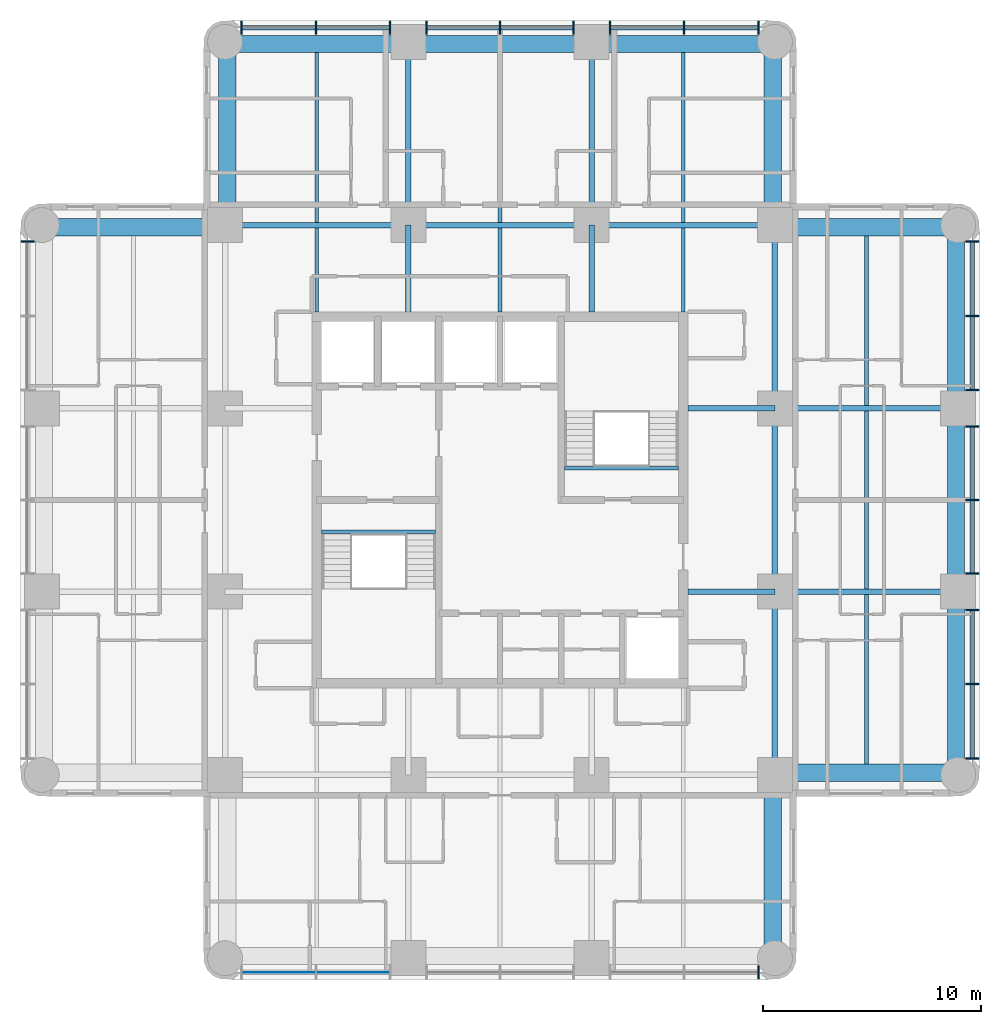
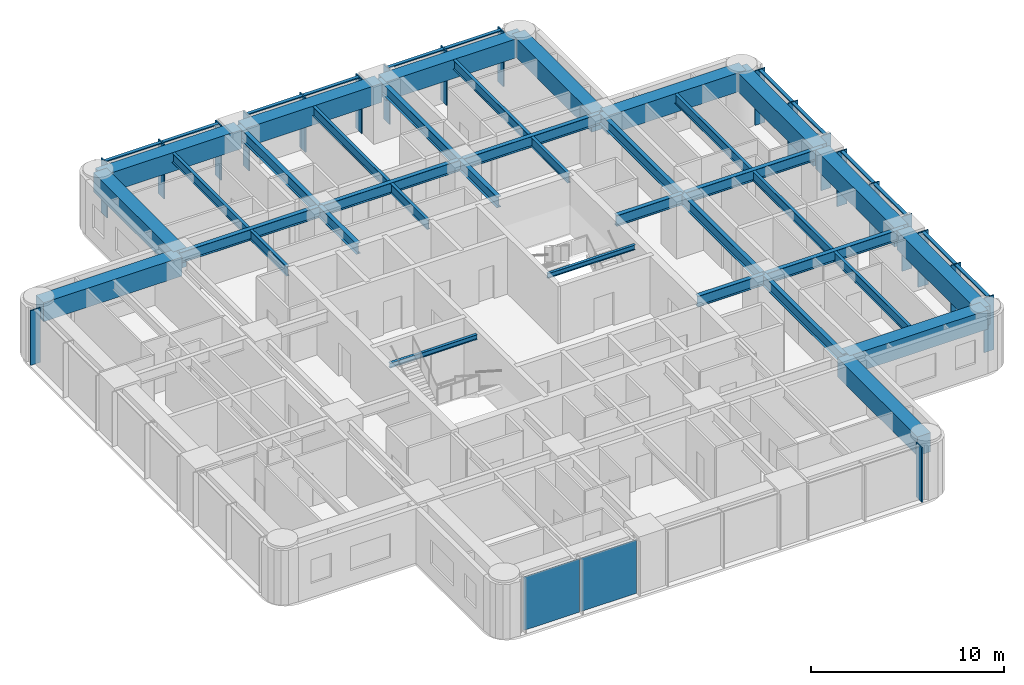
# One storey, part 2 of 10: 37 beams, 32 members, 2 plates, 4 elements without a shape of their own.
"""IFC4 building model written with IfcOpenShell, lengths in metres."""

from ifc_helpers import new_model, si_unit, direction, frame, origin, origin_2d, place, context, subcontext, project, spatial, rectangle, i_section, extrude, material, layer, layer_set, material_profile, profile_set, type_object, element, aggregate, save


model = new_model("IFC4")

# Units and contexts
model_context = context("Model", 3, precision=1e-05, world=origin(), true_north=direction((0.0, 1.0)))
body_context = subcontext(model_context, "Body", "Model", "MODEL_VIEW")
ifc_project = project(units=[si_unit("LENGTHUNIT", "METRE"), si_unit("AREAUNIT", "SQUARE_METRE"), si_unit("VOLUMEUNIT", "CUBIC_METRE"), si_unit("PLANEANGLEUNIT", "RADIAN"), si_unit("MASSUNIT", "GRAM", prefix="KILO")], contexts=[model_context])

# Site, building, storey
site_placement = place(None, origin())
site = spatial("IfcSite", under=ifc_project, at=site_placement, CompositionType="ELEMENT")
building_placement = place(site_placement, origin())
building = spatial("IfcBuilding", under=site, at=building_placement, Name="Torre Alcanfor", CompositionType="ELEMENT")
storey_placement = place(building_placement, frame((0.0, 0.0, 257.699951171875)))
storey = spatial("IfcBuildingStorey", under=building, at=storey_placement, Name="L67", CompositionType="ELEMENT", Elevation=257.699951171875)

# Curtain wall, member
ifc_material_1 = material(Name="Aluminium and glass", Category="aluminium")
curtain_wall_type = type_object("IfcCurtainWallType", Name="CW-A unitised apartment glazing with vertical FIN", PredefinedType="NOTDEFINED", material=ifc_material_1)
curtain_wall_1_placement = place(storey_placement, origin())
curtain_wall_1 = element("IfcCurtainWall", 1, at=curtain_wall_1_placement, inside=storey, type_object=curtain_wall_type, Name="Curtain wall CW-A L67 2", PredefinedType="NOTDEFINED")
ifc_material_2 = material(Name="Bronze anodised aluminium", Category="aluminium")
ifc_material_profile_1 = material_profile(ifc_material_2, rectangle(XDim=0.60009765625, YDim=0.06494140625, at=origin_2d()), Name="CW-A mullion 65x600")
ifc_profile_set_1 = profile_set([ifc_material_profile_1], Name="Bronze anodised aluminium")
member_type_1 = type_object("IfcMemberType", Name="CW-A mullion with vertical FIN 65x600", PredefinedType="MULLION", material=ifc_profile_set_1)
member_1_placement = place(storey_placement, frame((7.75, 41.24267578125, 0.0), z_axis=(0.0, 0.0, 1.0), x_axis=(1.0, 0.0, 0.0)))
member_1 = element("IfcMember", 2, at=member_1_placement, type_object=member_type_1, Name="CW-A mullion 1.1", PredefinedType="MULLION", context=body_context, shape_type="SweptSolid", body=[
    extrude(rectangle(XDim=0.60009765625, YDim=0.06494140625, at=origin_2d()), origin(), (0.0, 0.0, 1.0), 3.449951171875),
])
aggregate(curtain_wall_1, [member_1])

curtain_wall_2_placement = place(storey_placement, origin())
curtain_wall_2 = element("IfcCurtainWall", 3, at=curtain_wall_2_placement, inside=storey, type_object=curtain_wall_type, Name="Curtain wall CW-A L67 5", PredefinedType="NOTDEFINED")
member_2_placement = place(storey_placement, frame((41.24267578125, 7.75, 0.0), z_axis=(0.0, 0.0, 1.0), x_axis=(0.0, 1.0, 0.0)))
member_2 = element("IfcMember", 4, at=member_2_placement, type_object=member_type_1, Name="CW-A mullion 3.3", PredefinedType="MULLION", context=body_context, shape_type="SweptSolid", body=[
    extrude(rectangle(XDim=0.60009765625, YDim=0.06494140625, at=origin_2d()), origin(), (0.0, 0.0, 1.0), 3.449951171875),
])

# Curtain wall, members
curtain_wall_3_placement = place(storey_placement, origin())
curtain_wall_3 = element("IfcCurtainWall", 5, at=curtain_wall_3_placement, inside=storey, type_object=curtain_wall_type, Name="Curtain wall CW-A L67 8", PredefinedType="NOTDEFINED")
member_3_placement = place(storey_placement, frame((51.050048828125, 17.557373046875, 0.0), z_axis=(0.0, 0.0, 1.0), x_axis=(-1.0, 0.0, 0.0)))
member_3 = element("IfcMember", 6, at=member_3_placement, type_object=member_type_1, Name="CW-A mullion 1.1", PredefinedType="MULLION", context=body_context, shape_type="SweptSolid", body=[
    extrude(rectangle(XDim=0.60009765625, YDim=0.06494140625, at=origin_2d()), origin(), (0.0, 0.0, 1.0), 3.449951171875),
])
member_4_placement = place(storey_placement, frame((51.050048828125, 20.9599609375, 0.0), z_axis=(0.0, 0.0, 1.0), x_axis=(-1.0, 0.0, 0.0)))
member_4 = element("IfcMember", 7, at=member_4_placement, type_object=member_type_1, Name="CW-A mullion 1.2", PredefinedType="MULLION", context=body_context, shape_type="SweptSolid", body=[
    extrude(rectangle(XDim=0.60009765625, YDim=0.06494140625, at=origin_2d()), origin(), (0.0, 0.0, 1.0), 3.449951171875),
])
member_5_placement = place(storey_placement, frame((51.050048828125, 24.362548828125, 0.0), z_axis=(0.0, 0.0, 1.0), x_axis=(-1.0, 0.0, 0.0)))
member_5 = element("IfcMember", 8, at=member_5_placement, type_object=member_type_1, Name="CW-A mullion 1.3", PredefinedType="MULLION", context=body_context, shape_type="SweptSolid", body=[
    extrude(rectangle(XDim=0.60009765625, YDim=0.06494140625, at=origin_2d()), origin(), (0.0, 0.0, 1.0), 3.449951171875),
])
member_6_placement = place(storey_placement, frame((51.050048828125, 26.03759765625, 0.0), z_axis=(0.0, 0.0, 1.0), x_axis=(-1.0, 0.0, 0.0)))
member_6 = element("IfcMember", 9, at=member_6_placement, type_object=member_type_1, Name="CW-A mullion 2.1", PredefinedType="MULLION", context=body_context, shape_type="SweptSolid", body=[
    extrude(rectangle(XDim=0.60009765625, YDim=0.06494140625, at=origin_2d()), origin(), (0.0, 0.0, 1.0), 3.449951171875),
])
member_7_placement = place(storey_placement, frame((51.050048828125, 29.39990234375, 0.0), z_axis=(0.0, 0.0, 1.0), x_axis=(-1.0, 0.0, 0.0)))
member_7 = element("IfcMember", 10, at=member_7_placement, type_object=member_type_1, Name="CW-A mullion 2.2", PredefinedType="MULLION", context=body_context, shape_type="SweptSolid", body=[
    extrude(rectangle(XDim=0.60009765625, YDim=0.06494140625, at=origin_2d()), origin(), (0.0, 0.0, 1.0), 3.449951171875),
])
member_8_placement = place(storey_placement, frame((51.050048828125, 32.762451171875, 0.0), z_axis=(0.0, 0.0, 1.0), x_axis=(-1.0, 0.0, 0.0)))
member_8 = element("IfcMember", 11, at=member_8_placement, type_object=member_type_1, Name="CW-A mullion 2.3", PredefinedType="MULLION", context=body_context, shape_type="SweptSolid", body=[
    extrude(rectangle(XDim=0.60009765625, YDim=0.06494140625, at=origin_2d()), origin(), (0.0, 0.0, 1.0), 3.449951171875),
])
member_9_placement = place(storey_placement, frame((51.050048828125, 34.4375, 0.0), z_axis=(0.0, 0.0, 1.0), x_axis=(-1.0, 0.0, 0.0)))
member_9 = element("IfcMember", 12, at=member_9_placement, type_object=member_type_1, Name="CW-A mullion 3.1", PredefinedType="MULLION", context=body_context, shape_type="SweptSolid", body=[
    extrude(rectangle(XDim=0.60009765625, YDim=0.06494140625, at=origin_2d()), origin(), (0.0, 0.0, 1.0), 3.449951171875),
])
member_10_placement = place(storey_placement, frame((51.050048828125, 37.840087890625, 0.0), z_axis=(0.0, 0.0, 1.0), x_axis=(-1.0, 0.0, 0.0)))
member_10 = element("IfcMember", 13, at=member_10_placement, type_object=member_type_1, Name="CW-A mullion 3.2", PredefinedType="MULLION", context=body_context, shape_type="SweptSolid", body=[
    extrude(rectangle(XDim=0.60009765625, YDim=0.06494140625, at=origin_2d()), origin(), (0.0, 0.0, 1.0), 3.449951171875),
])
member_11_placement = place(storey_placement, frame((51.050048828125, 41.24267578125, 0.0), z_axis=(0.0, 0.0, 1.0), x_axis=(-1.0, 0.0, 0.0)))
member_11 = element("IfcMember", 14, at=member_11_placement, type_object=member_type_1, Name="CW-A mullion 3.3", PredefinedType="MULLION", context=body_context, shape_type="SweptSolid", body=[
    extrude(rectangle(XDim=0.60009765625, YDim=0.06494140625, at=origin_2d()), origin(), (0.0, 0.0, 1.0), 3.449951171875),
])

curtain_wall_4_placement = place(storey_placement, origin())
curtain_wall_4 = element("IfcCurtainWall", 15, at=curtain_wall_4_placement, inside=storey, type_object=curtain_wall_type, Name="Curtain wall CW-A L67 11", PredefinedType="NOTDEFINED")
member_12_placement = place(storey_placement, frame((41.24267578125, 51.050048828125, 0.0), z_axis=(0.0, 0.0, 1.0), x_axis=(0.0, -1.0, 0.0)))
member_12 = element("IfcMember", 16, at=member_12_placement, type_object=member_type_1, Name="CW-A mullion 1.1", PredefinedType="MULLION", context=body_context, shape_type="SweptSolid", body=[
    extrude(rectangle(XDim=0.60009765625, YDim=0.06494140625, at=origin_2d()), origin(), (0.0, 0.0, 1.0), 3.449951171875),
])
member_13_placement = place(storey_placement, frame((37.840087890625, 51.050048828125, 0.0), z_axis=(0.0, 0.0, 1.0), x_axis=(0.0, -1.0, 0.0)))
member_13 = element("IfcMember", 17, at=member_13_placement, type_object=member_type_1, Name="CW-A mullion 1.2", PredefinedType="MULLION", context=body_context, shape_type="SweptSolid", body=[
    extrude(rectangle(XDim=0.60009765625, YDim=0.06494140625, at=origin_2d()), origin(), (0.0, 0.0, 1.0), 3.449951171875),
])
member_14_placement = place(storey_placement, frame((34.4375, 51.050048828125, 0.0), z_axis=(0.0, 0.0, 1.0), x_axis=(0.0, -1.0, 0.0)))
member_14 = element("IfcMember", 18, at=member_14_placement, type_object=member_type_1, Name="CW-A mullion 1.3", PredefinedType="MULLION", context=body_context, shape_type="SweptSolid", body=[
    extrude(rectangle(XDim=0.60009765625, YDim=0.06494140625, at=origin_2d()), origin(), (0.0, 0.0, 1.0), 3.449951171875),
])
member_15_placement = place(storey_placement, frame((32.762451171875, 51.050048828125, 0.0), z_axis=(0.0, 0.0, 1.0), x_axis=(0.0, -1.0, 0.0)))
member_15 = element("IfcMember", 19, at=member_15_placement, type_object=member_type_1, Name="CW-A mullion 2.1", PredefinedType="MULLION", context=body_context, shape_type="SweptSolid", body=[
    extrude(rectangle(XDim=0.60009765625, YDim=0.06494140625, at=origin_2d()), origin(), (0.0, 0.0, 1.0), 3.449951171875),
])
member_16_placement = place(storey_placement, frame((29.39990234375, 51.050048828125, 0.0), z_axis=(0.0, 0.0, 1.0), x_axis=(0.0, -1.0, 0.0)))
member_16 = element("IfcMember", 20, at=member_16_placement, type_object=member_type_1, Name="CW-A mullion 2.2", PredefinedType="MULLION", context=body_context, shape_type="SweptSolid", body=[
    extrude(rectangle(XDim=0.60009765625, YDim=0.06494140625, at=origin_2d()), origin(), (0.0, 0.0, 1.0), 3.449951171875),
])
member_17_placement = place(storey_placement, frame((26.03759765625, 51.050048828125, 0.0), z_axis=(0.0, 0.0, 1.0), x_axis=(0.0, -1.0, 0.0)))
member_17 = element("IfcMember", 21, at=member_17_placement, type_object=member_type_1, Name="CW-A mullion 2.3", PredefinedType="MULLION", context=body_context, shape_type="SweptSolid", body=[
    extrude(rectangle(XDim=0.60009765625, YDim=0.06494140625, at=origin_2d()), origin(), (0.0, 0.0, 1.0), 3.449951171875),
])
member_18_placement = place(storey_placement, frame((24.362548828125, 51.050048828125, 0.0), z_axis=(0.0, 0.0, 1.0), x_axis=(0.0, -1.0, 0.0)))
member_18 = element("IfcMember", 22, at=member_18_placement, type_object=member_type_1, Name="CW-A mullion 3.1", PredefinedType="MULLION", context=body_context, shape_type="SweptSolid", body=[
    extrude(rectangle(XDim=0.60009765625, YDim=0.06494140625, at=origin_2d()), origin(), (0.0, 0.0, 1.0), 3.449951171875),
])
member_19_placement = place(storey_placement, frame((20.9599609375, 51.050048828125, 0.0), z_axis=(0.0, 0.0, 1.0), x_axis=(0.0, -1.0, 0.0)))
member_19 = element("IfcMember", 23, at=member_19_placement, type_object=member_type_1, Name="CW-A mullion 3.2", PredefinedType="MULLION", context=body_context, shape_type="SweptSolid", body=[
    extrude(rectangle(XDim=0.60009765625, YDim=0.06494140625, at=origin_2d()), origin(), (0.0, 0.0, 1.0), 3.449951171875),
])
member_20_placement = place(storey_placement, frame((17.557373046875, 51.050048828125, 0.0), z_axis=(0.0, 0.0, 1.0), x_axis=(0.0, -1.0, 0.0)))
member_20 = element("IfcMember", 24, at=member_20_placement, type_object=member_type_1, Name="CW-A mullion 3.3", PredefinedType="MULLION", context=body_context, shape_type="SweptSolid", body=[
    extrude(rectangle(XDim=0.60009765625, YDim=0.06494140625, at=origin_2d()), origin(), (0.0, 0.0, 1.0), 3.449951171875),
])

# Member
ifc_material_3 = material(Name="Extruded aluminium", Category="aluminium")
ifc_material_profile_2 = material_profile(ifc_material_3, rectangle(XDim=0.199951171875, YDim=0.06494140625, at=origin_2d()), Name="CW-A transom 200x65")
ifc_profile_set_2 = profile_set([ifc_material_profile_2], Name="Extruded aluminium")
member_type_2 = type_object("IfcMemberType", Name="CW-A transom 65x200", PredefinedType="USERDEFINED", material=ifc_profile_set_2)
member_21_placement = place(storey_placement, frame((51.050048828125, 17.58984375, 3.41748046875), z_axis=(0.0, 1.0, 0.0), x_axis=(-1.0, 0.0, 0.0)))
member_21 = element("IfcMember", 25, at=member_21_placement, type_object=member_type_2, Name="CW-A transom 1.1.2", ObjectType="TRANSOM", PredefinedType="USERDEFINED", context=body_context, shape_type="SweptSolid", body=[
    extrude(rectangle(XDim=0.199951171875, YDim=0.06494140625, at=origin_2d()), origin(), (0.0, 0.0, 1.0), 3.337646484375),
])

member_22_placement = place(storey_placement, frame((51.050048828125, 20.992431640625, 3.41748046875), z_axis=(0.0, 1.0, 0.0), x_axis=(-1.0, 0.0, 0.0)))
member_22 = element("IfcMember", 26, at=member_22_placement, type_object=member_type_2, Name="CW-A transom 1.2.2", ObjectType="TRANSOM", PredefinedType="USERDEFINED", context=body_context, shape_type="SweptSolid", body=[
    extrude(rectangle(XDim=0.199951171875, YDim=0.06494140625, at=origin_2d()), origin(), (0.0, 0.0, 1.0), 3.337646484375),
])

member_23_placement = place(storey_placement, frame((51.050048828125, 26.070068359375, 3.41748046875), z_axis=(0.0, 1.0, 0.0), x_axis=(-1.0, 0.0, 0.0)))
member_23 = element("IfcMember", 27, at=member_23_placement, type_object=member_type_2, Name="CW-A transom 2.1.2", ObjectType="TRANSOM", PredefinedType="USERDEFINED", context=body_context, shape_type="SweptSolid", body=[
    extrude(rectangle(XDim=0.199951171875, YDim=0.06494140625, at=origin_2d()), origin(), (0.0, 0.0, 1.0), 3.29736328125),
])

member_24_placement = place(storey_placement, frame((51.050048828125, 29.4326171875, 3.41748046875), z_axis=(0.0, 1.0, 0.0), x_axis=(-1.0, 0.0, 0.0)))
member_24 = element("IfcMember", 28, at=member_24_placement, type_object=member_type_2, Name="CW-A transom 2.2.2", ObjectType="TRANSOM", PredefinedType="USERDEFINED", context=body_context, shape_type="SweptSolid", body=[
    extrude(rectangle(XDim=0.199951171875, YDim=0.06494140625, at=origin_2d()), origin(), (0.0, 0.0, 1.0), 3.29736328125),
])

member_25_placement = place(storey_placement, frame((51.050048828125, 34.469970703125, 3.41748046875), z_axis=(0.0, 1.0, 0.0), x_axis=(-1.0, 0.0, 0.0)))
member_25 = element("IfcMember", 29, at=member_25_placement, type_object=member_type_2, Name="CW-A transom 3.1.2", ObjectType="TRANSOM", PredefinedType="USERDEFINED", context=body_context, shape_type="SweptSolid", body=[
    extrude(rectangle(XDim=0.199951171875, YDim=0.06494140625, at=origin_2d()), origin(), (0.0, 0.0, 1.0), 3.337646484375),
])

member_26_placement = place(storey_placement, frame((51.050048828125, 37.87255859375, 3.41748046875), z_axis=(0.0, 1.0, 0.0), x_axis=(-1.0, 0.0, 0.0)))
member_26 = element("IfcMember", 30, at=member_26_placement, type_object=member_type_2, Name="CW-A transom 3.2.2", ObjectType="TRANSOM", PredefinedType="USERDEFINED", context=body_context, shape_type="SweptSolid", body=[
    extrude(rectangle(XDim=0.199951171875, YDim=0.06494140625, at=origin_2d()), origin(), (0.0, 0.0, 1.0), 3.337646484375),
])

aggregate(curtain_wall_3, [member_3, member_4, member_5, member_21, member_22, member_6, member_7, member_8, member_23, member_24, member_9, member_10, member_11, member_25, member_26])

member_27_placement = place(storey_placement, frame((41.210205078125, 51.050048828125, 3.41748046875), z_axis=(-1.0, 0.0, 0.0), x_axis=(0.0, -1.0, 0.0)))
member_27 = element("IfcMember", 31, at=member_27_placement, type_object=member_type_2, Name="CW-A transom 1.1.2", ObjectType="TRANSOM", PredefinedType="USERDEFINED", context=body_context, shape_type="SweptSolid", body=[
    extrude(rectangle(XDim=0.199951171875, YDim=0.06494140625, at=origin_2d()), origin(), (0.0, 0.0, 1.0), 3.337646484375),
])

member_28_placement = place(storey_placement, frame((37.8076171875, 51.050048828125, 3.41748046875), z_axis=(-1.0, 0.0, 0.0), x_axis=(0.0, -1.0, 0.0)))
member_28 = element("IfcMember", 32, at=member_28_placement, type_object=member_type_2, Name="CW-A transom 1.2.2", ObjectType="TRANSOM", PredefinedType="USERDEFINED", context=body_context, shape_type="SweptSolid", body=[
    extrude(rectangle(XDim=0.199951171875, YDim=0.06494140625, at=origin_2d()), origin(), (0.0, 0.0, 1.0), 3.337646484375),
])

member_29_placement = place(storey_placement, frame((32.72998046875, 51.050048828125, 3.41748046875), z_axis=(-1.0, 0.0, 0.0), x_axis=(0.0, -1.0, 0.0)))
member_29 = element("IfcMember", 33, at=member_29_placement, type_object=member_type_2, Name="CW-A transom 2.1.2", ObjectType="TRANSOM", PredefinedType="USERDEFINED", context=body_context, shape_type="SweptSolid", body=[
    extrude(rectangle(XDim=0.199951171875, YDim=0.06494140625, at=origin_2d()), origin(), (0.0, 0.0, 1.0), 3.29736328125),
])

member_30_placement = place(storey_placement, frame((29.367431640625, 51.050048828125, 3.41748046875), z_axis=(-1.0, 0.0, 0.0), x_axis=(0.0, -1.0, 0.0)))
member_30 = element("IfcMember", 34, at=member_30_placement, type_object=member_type_2, Name="CW-A transom 2.2.2", ObjectType="TRANSOM", PredefinedType="USERDEFINED", context=body_context, shape_type="SweptSolid", body=[
    extrude(rectangle(XDim=0.199951171875, YDim=0.06494140625, at=origin_2d()), origin(), (0.0, 0.0, 1.0), 3.29736328125),
])

member_31_placement = place(storey_placement, frame((24.330078125, 51.050048828125, 3.41748046875), z_axis=(-1.0, 0.0, 0.0), x_axis=(0.0, -1.0, 0.0)))
member_31 = element("IfcMember", 35, at=member_31_placement, type_object=member_type_2, Name="CW-A transom 3.1.2", ObjectType="TRANSOM", PredefinedType="USERDEFINED", context=body_context, shape_type="SweptSolid", body=[
    extrude(rectangle(XDim=0.199951171875, YDim=0.06494140625, at=origin_2d()), origin(), (0.0, 0.0, 1.0), 3.337646484375),
])

member_32_placement = place(storey_placement, frame((20.927490234375, 51.050048828125, 3.41748046875), z_axis=(-1.0, 0.0, 0.0), x_axis=(0.0, -1.0, 0.0)))
member_32 = element("IfcMember", 36, at=member_32_placement, type_object=member_type_2, Name="CW-A transom 3.2.2", ObjectType="TRANSOM", PredefinedType="USERDEFINED", context=body_context, shape_type="SweptSolid", body=[
    extrude(rectangle(XDim=0.199951171875, YDim=0.06494140625, at=origin_2d()), origin(), (0.0, 0.0, 1.0), 3.337646484375),
])

aggregate(curtain_wall_4, [member_12, member_13, member_14, member_27, member_28, member_15, member_16, member_17, member_29, member_30, member_18, member_19, member_20, member_31, member_32])

# Beams
ifc_material_4 = material(Name="Steel ASTM A992 Grade 50", Category="steel")
ifc_material_profile_3 = material_profile(ifc_material_4, i_section(OverallWidth=0.25390625, OverallDepth=0.683349609375, WebThickness=0.012451171875, FlangeThickness=0.01904296875, at=origin_2d()), Name="W27x94")
ifc_profile_set_3 = profile_set([ifc_material_profile_3], Name="Steel ASTM A992 Grade 50")
beam_type_1 = type_object("IfcBeamType", Name="Girder W27x94", PredefinedType="BEAM", material=ifc_profile_set_3)
for number, where, z_axis, x_axis, name in (
    (37, (42.0, 25.199951171875, 3.1083984375), (1.0, 0.0, 0.0), (0.0, 1.0, 0.0), "Beam 6F-7F under L68"),
    (38, (42.0, 33.60009765625, 3.1083984375), (1.0, 0.0, 0.0), (0.0, 1.0, 0.0), "Beam 6G-7G under L68"),
    (39, (16.800048828125, 42.0, 3.1083984375), (1.0, 0.0, 0.0), (0.0, 1.0, 0.0), "Beam 3H-4H under L68"),
):
    element("IfcBeam", number, at=place(storey_placement, frame(where, z_axis=z_axis, x_axis=x_axis)), inside=storey, type_object=beam_type_1, Name=name, PredefinedType="BEAM", context=body_context, shape_type="SweptSolid", body=[
        extrude(i_section(OverallWidth=0.25390625, OverallDepth=0.683349609375, WebThickness=0.012451171875, FlangeThickness=0.01904296875, at=origin_2d()), origin(), (0.0, 0.0, 1.0), 8.39990234375),
    ])
beam_1_placement = place(storey_placement, frame((25.199951171875, 42.0, 3.1083984375), z_axis=(1.0, 0.0, 0.0), x_axis=(0.0, 1.0, 0.0)))
element("IfcBeam", 40, at=beam_1_placement, inside=storey, type_object=beam_type_1, Name="Beam 4H-5H under L68", PredefinedType="BEAM", context=body_context, shape_type="SweptSolid", body=[
    extrude(i_section(OverallWidth=0.25390625, OverallDepth=0.683349609375, WebThickness=0.012451171875, FlangeThickness=0.01904296875, at=origin_2d()), origin(), (0.0, 0.0, 1.0), 8.400146484375),
])
for number, where, z_axis, x_axis, name in (
    (41, (33.60009765625, 42.0, 3.1083984375), (1.0, 0.0, 0.0), (0.0, 1.0, 0.0), "Beam 5H-6H under L68"),
    (42, (25.199951171875, 42.0, 3.1083984375), (0.0, 1.0, 0.0), (-1.0, 0.0, 0.0), "Beam 4H-4J under L68"),
    (43, (33.60009765625, 42.0, 3.1083984375), (0.0, 1.0, 0.0), (-1.0, 0.0, 0.0), "Beam 5H-5J under L68"),
    (44, (42.0, 16.800048828125, 3.1083984375), (0.0, 1.0, 0.0), (-1.0, 0.0, 0.0), "Beam 6E-6F under L68"),
):
    element("IfcBeam", number, at=place(storey_placement, frame(where, z_axis=z_axis, x_axis=x_axis)), inside=storey, type_object=beam_type_1, Name=name, PredefinedType="BEAM", context=body_context, shape_type="SweptSolid", body=[
        extrude(i_section(OverallWidth=0.25390625, OverallDepth=0.683349609375, WebThickness=0.012451171875, FlangeThickness=0.01904296875, at=origin_2d()), origin(), (0.0, 0.0, 1.0), 8.39990234375),
    ])
beam_2_placement = place(storey_placement, frame((42.0, 25.199951171875, 3.1083984375), z_axis=(0.0, 1.0, 0.0), x_axis=(-1.0, 0.0, 0.0)))
element("IfcBeam", 45, at=beam_2_placement, inside=storey, type_object=beam_type_1, Name="Beam 6F-6G under L68", PredefinedType="BEAM", context=body_context, shape_type="SweptSolid", body=[
    extrude(i_section(OverallWidth=0.25390625, OverallDepth=0.683349609375, WebThickness=0.012451171875, FlangeThickness=0.01904296875, at=origin_2d()), origin(), (0.0, 0.0, 1.0), 8.400146484375),
])
beam_3_placement = place(storey_placement, frame((42.0, 33.60009765625, 3.1083984375), z_axis=(0.0, 1.0, 0.0), x_axis=(-1.0, 0.0, 0.0)))
element("IfcBeam", 46, at=beam_3_placement, inside=storey, type_object=beam_type_1, Name="Beam 6G-6H under L68", PredefinedType="BEAM", context=body_context, shape_type="SweptSolid", body=[
    extrude(i_section(OverallWidth=0.25390625, OverallDepth=0.683349609375, WebThickness=0.012451171875, FlangeThickness=0.01904296875, at=origin_2d()), origin(), (0.0, 0.0, 1.0), 8.39990234375),
])
ifc_material_5 = material(Name="Steel ASTM A992 Grade 50", Category="steel")
ifc_material_profile_4 = material_profile(ifc_material_5, i_section(OverallWidth=0.25390625, OverallDepth=0.683349609375, WebThickness=0.012451171875, FlangeThickness=0.01904296875, at=origin_2d()), Name="W27x94")
ifc_profile_set_4 = profile_set([ifc_material_profile_4], Name="Steel ASTM A992 Grade 50")
beam_type_2 = type_object("IfcBeamType", Name="Girder, part bay W27x94", PredefinedType="BEAM", material=ifc_profile_set_4)
for number, where, z_axis, x_axis, name in (
    (47, (25.199951171875, 42.0, 3.1083984375), (0.0, -1.0, 0.0), (1.0, 0.0, 0.0), "Beam 4H-438_025 under L68"),
    (48, (33.60009765625, 42.0, 3.1083984375), (0.0, -1.0, 0.0), (1.0, 0.0, 0.0), "Beam 5H-538_025 under L68"),
    (49, (42.0, 25.199951171875, 3.1083984375), (-1.0, 0.0, 0.0), (0.0, -1.0, 0.0), "Beam 6F-38_025F under L68"),
    (50, (42.0, 33.60009765625, 3.1083984375), (-1.0, 0.0, 0.0), (0.0, -1.0, 0.0), "Beam 6G-38_025G under L68"),
):
    element("IfcBeam", number, at=place(storey_placement, frame(where, z_axis=z_axis, x_axis=x_axis)), inside=storey, type_object=beam_type_2, Name=name, PredefinedType="BEAM", context=body_context, shape_type="SweptSolid", body=[
        extrude(i_section(OverallWidth=0.25390625, OverallDepth=0.683349609375, WebThickness=0.012451171875, FlangeThickness=0.01904296875, at=origin_2d()), origin(), (0.0, 0.0, 1.0), 3.97509765625),
    ])
ifc_material_6 = material(Name="Concrete f'c 70 MPa", Category="concrete")
ifc_material_profile_5 = material_profile(ifc_material_6, rectangle(XDim=0.800048828125, YDim=1.199951171875, at=origin_2d()), Name="800x1200")
ifc_profile_set_5 = profile_set([ifc_material_profile_5], Name="Concrete f'c 70 MPa")
beam_type_3 = type_object("IfcBeamType", Name="RC perimeter beam 800x1200", PredefinedType="BEAM", material=ifc_profile_set_5)
beam_4_placement = place(storey_placement, frame((42.126953125, 16.89990234375, 2.85009765625), z_axis=(1.0, 0.0, 0.0), x_axis=(0.0, 1.0, 0.0)))
element("IfcBeam", 51, at=beam_4_placement, inside=storey, type_object=beam_type_3, Name="Beam 6E-7E under L68", PredefinedType="BEAM", context=body_context, shape_type="SweptSolid", body=[
    extrude(rectangle(XDim=0.800048828125, YDim=1.199951171875, at=origin_2d()), origin(), (0.0, 0.0, 1.0), 8.27294921875),
])
beam_5_placement = place(storey_placement, frame((8.39990234375, 41.89990234375, 2.85009765625), z_axis=(1.0, 0.0, 0.0), x_axis=(0.0, 1.0, 0.0)))
element("IfcBeam", 52, at=beam_5_placement, inside=storey, type_object=beam_type_3, Name="Beam 2H-3H under L68", PredefinedType="BEAM", context=body_context, shape_type="SweptSolid", body=[
    extrude(rectangle(XDim=0.800048828125, YDim=1.199951171875, at=origin_2d()), origin(), (0.0, 0.0, 1.0), 8.273193359375),
])
for number, where, z_axis, x_axis, name in (
    (53, (42.126953125, 41.89990234375, 2.85009765625), (1.0, 0.0, 0.0), (0.0, 1.0, 0.0), "Beam 6H-7H under L68"),
    (54, (16.800048828125, 50.300048828125, 2.85009765625), (1.0, 0.0, 0.0), (0.0, 1.0, 0.0), "Beam 3J-4J under L68"),
):
    element("IfcBeam", number, at=place(storey_placement, frame(where, z_axis=z_axis, x_axis=x_axis)), inside=storey, type_object=beam_type_3, Name=name, PredefinedType="BEAM", context=body_context, shape_type="SweptSolid", body=[
        extrude(rectangle(XDim=0.800048828125, YDim=1.199951171875, at=origin_2d()), origin(), (0.0, 0.0, 1.0), 8.27294921875),
    ])
beam_6_placement = place(storey_placement, frame((25.326904296875, 50.300048828125, 2.85009765625), z_axis=(1.0, 0.0, 0.0), x_axis=(0.0, 1.0, 0.0)))
element("IfcBeam", 55, at=beam_6_placement, inside=storey, type_object=beam_type_3, Name="Beam 4J-5J under L68", PredefinedType="BEAM", context=body_context, shape_type="SweptSolid", body=[
    extrude(rectangle(XDim=0.800048828125, YDim=1.199951171875, at=origin_2d()), origin(), (0.0, 0.0, 1.0), 8.14599609375),
])
for number, where, z_axis, x_axis, name in (
    (56, (33.72705078125, 50.300048828125, 2.85009765625), (1.0, 0.0, 0.0), (0.0, 1.0, 0.0), "Beam 5J-6J under L68"),
    (57, (16.89990234375, 42.126953125, 2.85009765625), (0.0, 1.0, 0.0), (-1.0, 0.0, 0.0), "Beam 3H-3J under L68"),
):
    element("IfcBeam", number, at=place(storey_placement, frame(where, z_axis=z_axis, x_axis=x_axis)), inside=storey, type_object=beam_type_3, Name=name, PredefinedType="BEAM", context=body_context, shape_type="SweptSolid", body=[
        extrude(rectangle(XDim=0.800048828125, YDim=1.199951171875, at=origin_2d()), origin(), (0.0, 0.0, 1.0), 8.27294921875),
    ])
beam_7_placement = place(storey_placement, frame((41.89990234375, 8.39990234375, 2.85009765625), z_axis=(0.0, 1.0, 0.0), x_axis=(-1.0, 0.0, 0.0)))
element("IfcBeam", 58, at=beam_7_placement, inside=storey, type_object=beam_type_3, Name="Beam 6D-6E under L68", PredefinedType="BEAM", context=body_context, shape_type="SweptSolid", body=[
    extrude(rectangle(XDim=0.800048828125, YDim=1.199951171875, at=origin_2d()), origin(), (0.0, 0.0, 1.0), 8.273193359375),
])
for number, where, z_axis, x_axis, name in (
    (59, (41.89990234375, 42.126953125, 2.85009765625), (0.0, 1.0, 0.0), (-1.0, 0.0, 0.0), "Beam 6H-6J under L68"),
    (60, (50.300048828125, 16.800048828125, 2.85009765625), (0.0, 1.0, 0.0), (-1.0, 0.0, 0.0), "Beam 7E-7F under L68"),
):
    element("IfcBeam", number, at=place(storey_placement, frame(where, z_axis=z_axis, x_axis=x_axis)), inside=storey, type_object=beam_type_3, Name=name, PredefinedType="BEAM", context=body_context, shape_type="SweptSolid", body=[
        extrude(rectangle(XDim=0.800048828125, YDim=1.199951171875, at=origin_2d()), origin(), (0.0, 0.0, 1.0), 8.27294921875),
    ])
beam_8_placement = place(storey_placement, frame((50.300048828125, 25.326904296875, 2.85009765625), z_axis=(0.0, 1.0, 0.0), x_axis=(-1.0, 0.0, 0.0)))
element("IfcBeam", 61, at=beam_8_placement, inside=storey, type_object=beam_type_3, Name="Beam 7F-7G under L68", PredefinedType="BEAM", context=body_context, shape_type="SweptSolid", body=[
    extrude(rectangle(XDim=0.800048828125, YDim=1.199951171875, at=origin_2d()), origin(), (0.0, 0.0, 1.0), 8.14599609375),
])
beam_9_placement = place(storey_placement, frame((50.300048828125, 33.72705078125, 2.85009765625), z_axis=(0.0, 1.0, 0.0), x_axis=(-1.0, 0.0, 0.0)))
element("IfcBeam", 62, at=beam_9_placement, inside=storey, type_object=beam_type_3, Name="Beam 7G-7H under L68", PredefinedType="BEAM", context=body_context, shape_type="SweptSolid", body=[
    extrude(rectangle(XDim=0.800048828125, YDim=1.199951171875, at=origin_2d()), origin(), (0.0, 0.0, 1.0), 8.27294921875),
])
ifc_material_7 = material(Name="Steel ASTM A992 Grade 50", Category="steel")
ifc_material_profile_6 = material_profile(ifc_material_7, i_section(OverallWidth=0.1787109375, OverallDepth=0.60205078125, WebThickness=0.010986328125, FlangeThickness=0.014892578125, at=origin_2d()), Name="W24x62")
ifc_profile_set_6 = profile_set([ifc_material_profile_6], Name="Steel ASTM A992 Grade 50")
beam_type_4 = type_object("IfcBeamType", Name="Secondary beam W24x62", PredefinedType="BEAM", material=ifc_profile_set_6)
for number, where, z_axis, x_axis, name in (
    (63, (21.0, 42.126953125, 3.149169921875), (0.0, 1.0, 0.0), (-1.0, 0.0, 0.0), "Beam 21H-21J under L68"),
    (64, (29.39990234375, 42.126953125, 3.149169921875), (0.0, 1.0, 0.0), (-1.0, 0.0, 0.0), "Beam 29_4H-29_4J under L68"),
    (65, (37.800048828125, 42.126953125, 3.149169921875), (0.0, 1.0, 0.0), (-1.0, 0.0, 0.0), "Beam 37_8H-37_8J under L68"),
    (66, (46.199951171875, 17.300048828125, 3.149169921875), (0.0, 1.0, 0.0), (-1.0, 0.0, 0.0), "Beam 46_2E-46_2F under L68"),
):
    element("IfcBeam", number, at=place(storey_placement, frame(where, z_axis=z_axis, x_axis=x_axis)), inside=storey, type_object=beam_type_4, Name=name, PredefinedType="BEAM", context=body_context, shape_type="SweptSolid", body=[
        extrude(i_section(OverallWidth=0.1787109375, OverallDepth=0.60205078125, WebThickness=0.010986328125, FlangeThickness=0.014892578125, at=origin_2d()), origin(), (0.0, 0.0, 1.0), 7.77294921875),
    ])
beam_10_placement = place(storey_placement, frame((46.199951171875, 25.326904296875, 3.149169921875), z_axis=(0.0, 1.0, 0.0), x_axis=(-1.0, 0.0, 0.0)))
element("IfcBeam", 67, at=beam_10_placement, inside=storey, type_object=beam_type_4, Name="Beam 46_2F-46_2G under L68", PredefinedType="BEAM", context=body_context, shape_type="SweptSolid", body=[
    extrude(i_section(OverallWidth=0.1787109375, OverallDepth=0.60205078125, WebThickness=0.010986328125, FlangeThickness=0.014892578125, at=origin_2d()), origin(), (0.0, 0.0, 1.0), 8.14599609375),
])
beam_11_placement = place(storey_placement, frame((46.199951171875, 33.72705078125, 3.149169921875), z_axis=(0.0, 1.0, 0.0), x_axis=(-1.0, 0.0, 0.0)))
element("IfcBeam", 68, at=beam_11_placement, inside=storey, type_object=beam_type_4, Name="Beam 46_2G-46_2H under L68", PredefinedType="BEAM", context=body_context, shape_type="SweptSolid", body=[
    extrude(i_section(OverallWidth=0.1787109375, OverallDepth=0.60205078125, WebThickness=0.010986328125, FlangeThickness=0.014892578125, at=origin_2d()), origin(), (0.0, 0.0, 1.0), 7.77294921875),
])
ifc_material_8 = material(Name="Steel ASTM A992 Grade 50", Category="steel")
ifc_material_profile_7 = material_profile(ifc_material_8, i_section(OverallWidth=0.1787109375, OverallDepth=0.60205078125, WebThickness=0.010986328125, FlangeThickness=0.014892578125, at=origin_2d()), Name="W24x62")
ifc_profile_set_7 = profile_set([ifc_material_profile_7], Name="Steel ASTM A992 Grade 50")
beam_type_5 = type_object("IfcBeamType", Name="Secondary beam, part bay W24x62", PredefinedType="BEAM", material=ifc_profile_set_7)
for number, where, z_axis, x_axis, name in (
    (69, (21.0, 38.02490234375, 3.149169921875), (0.0, 1.0, 0.0), (-1.0, 0.0, 0.0), "Beam 2138_025-21H under L68"),
    (70, (29.39990234375, 38.02490234375, 3.149169921875), (0.0, 1.0, 0.0), (-1.0, 0.0, 0.0), "Beam 29_438_025-29_4H under L68"),
    (71, (37.800048828125, 38.02490234375, 3.149169921875), (0.0, 1.0, 0.0), (-1.0, 0.0, 0.0), "Beam 37_838_025-37_8H under L68"),
):
    element("IfcBeam", number, at=place(storey_placement, frame(where, z_axis=z_axis, x_axis=x_axis)), inside=storey, type_object=beam_type_5, Name=name, PredefinedType="BEAM", context=body_context, shape_type="SweptSolid", body=[
        extrude(i_section(OverallWidth=0.1787109375, OverallDepth=0.60205078125, WebThickness=0.010986328125, FlangeThickness=0.014892578125, at=origin_2d()), origin(), (0.0, 0.0, 1.0), 3.84814453125),
    ])
ifc_material_9 = material(Name="Steel ASTM A992 Grade 50", Category="steel")
ifc_material_profile_8 = material_profile(ifc_material_9, i_section(OverallWidth=0.164794921875, OverallDepth=0.309814453125, WebThickness=0.005859375, FlangeThickness=0.009765625, at=origin_2d()), Name="W12x26")
ifc_profile_set_8 = profile_set([ifc_material_profile_8], Name="Steel ASTM A992 Grade 50")
beam_type_6 = type_object("IfcBeamType", Name="Stair landing beam W12x26", PredefinedType="BEAM", material=ifc_profile_set_8)
for number, where, z_axis, x_axis, name in (
    (72, (21.22509765625, 27.9375, 3.2451171875), (1.0, 0.0, 0.0), (0.0, 1.0, 0.0), "Landing trimmer S1 L68"),
    (73, (32.35009765625, 30.862548828125, 3.2451171875), (1.0, 0.0, 0.0), (0.0, 1.0, 0.0), "Landing trimmer S2 L68"),
):
    element("IfcBeam", number, at=place(storey_placement, frame(where, z_axis=z_axis, x_axis=x_axis)), inside=storey, type_object=beam_type_6, Name=name, PredefinedType="BEAM", context=body_context, shape_type="SweptSolid", body=[
        extrude(i_section(OverallWidth=0.164794921875, OverallDepth=0.309814453125, WebThickness=0.005859375, FlangeThickness=0.009765625, at=origin_2d()), origin(), (0.0, 0.0, 1.0), 5.224853515625),
    ])

# Plate
ifc_material_10 = material(Name="Glass", Category="glass")
ifc_layer = layer(ifc_material_10, 0.028076171875)
ifc_layer_set = layer_set([ifc_layer], Name="CW-A clear double glazed unit")
plate_type = type_object("IfcPlateType", Name="CW-A clear double glazed unit", PredefinedType="CURTAIN_PANEL", material=ifc_layer_set)
plate_1_placement = place(storey_placement, frame((19.2587890625, 7.75, 0.0), z_axis=(0.0, 0.0, 1.0), x_axis=(1.0, 0.0, 0.0)))
plate_1 = element("IfcPlate", 74, at=plate_1_placement, type_object=plate_type, Name="CW-A panel 1.1.1", PredefinedType="CURTAIN_PANEL", context=body_context, shape_type="SweptSolid", body=[
    extrude(rectangle(XDim=3.337646484375, YDim=0.028076171875, at=origin_2d()), origin(), (0.0, 0.0, 1.0), 3.385009765625),
])

plate_2_placement = place(storey_placement, frame((22.6611328125, 7.75, 0.0), z_axis=(0.0, 0.0, 1.0), x_axis=(1.0, 0.0, 0.0)))
plate_2 = element("IfcPlate", 75, at=plate_2_placement, type_object=plate_type, Name="CW-A panel 1.2.1", PredefinedType="CURTAIN_PANEL", context=body_context, shape_type="SweptSolid", body=[
    extrude(rectangle(XDim=3.337646484375, YDim=0.028076171875, at=origin_2d()), origin(), (0.0, 0.0, 1.0), 3.385009765625),
])

aggregate(curtain_wall_2, [plate_1, plate_2, member_2])

save(model, "model.ifc")
